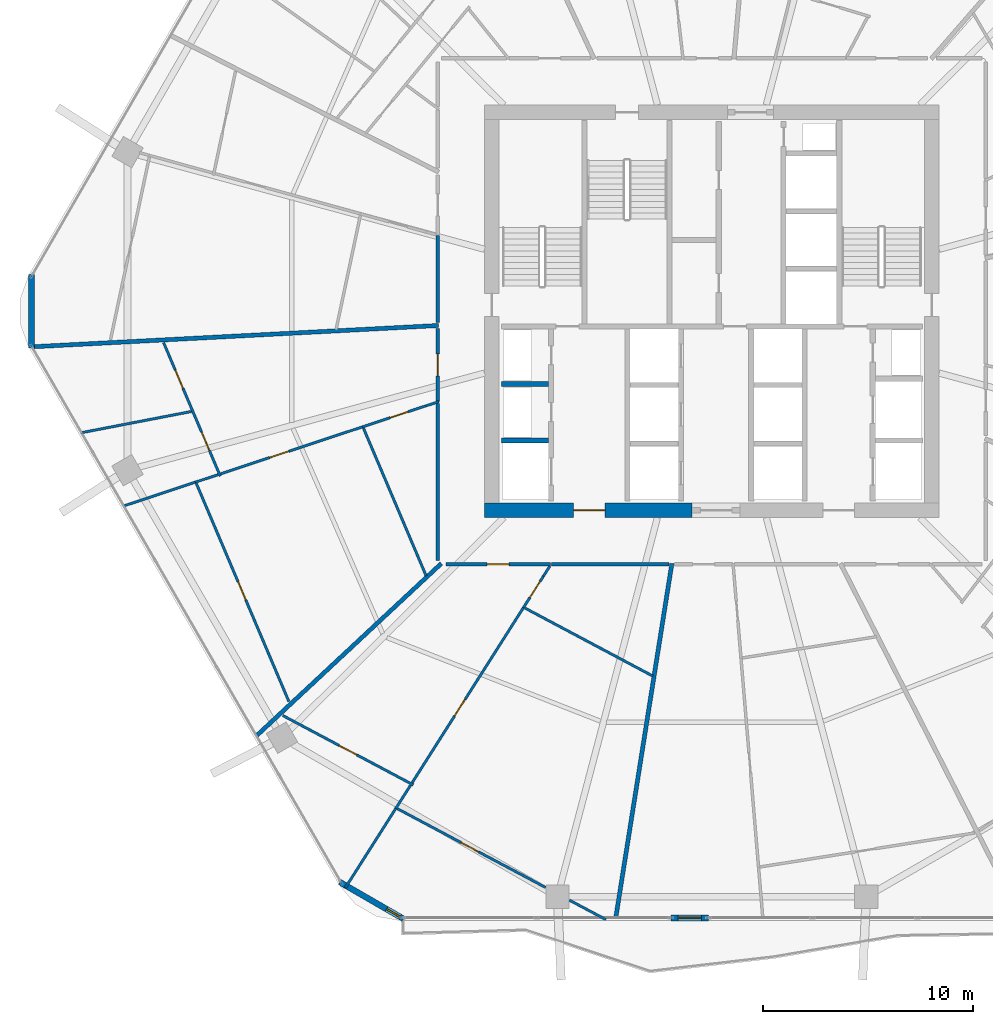
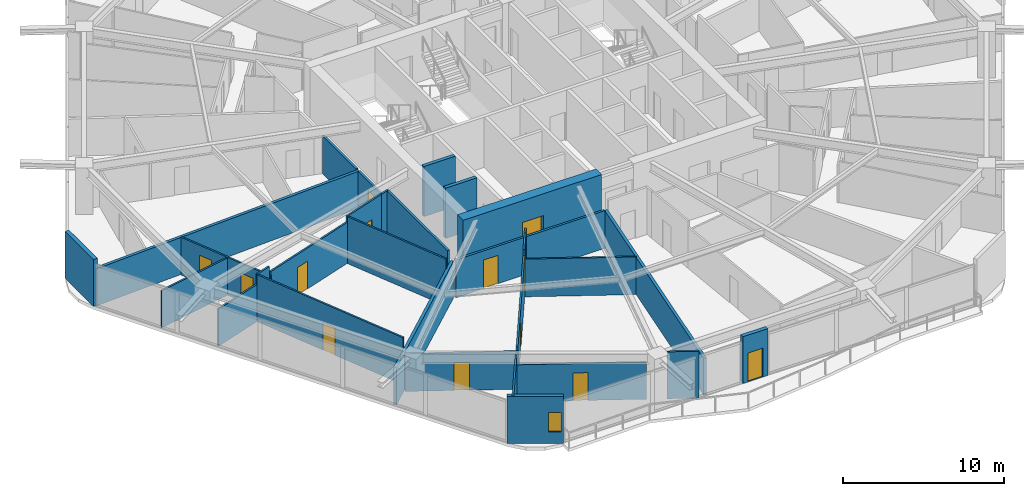
# One storey, part 24 of 33: 32 walls, 13 doors, 1 window, 14 openings.
"""IFC4 building model written with IfcOpenShell, lengths in metres."""

from ifc_helpers import new_model, si_unit, direction, frame, frame_2d, origin, place, context, subcontext, project, spatial, rectangle, extrude, material, layer, layer_set, type_object, element, fill, save


model = new_model("IFC4")

# Units and contexts
model_context = context("Model", 3, precision=1e-05, world=origin(), true_north=direction((0.0, 1.0)))
body_context = subcontext(model_context, "Body", "Model", "MODEL_VIEW")
ifc_project = project(units=[si_unit("LENGTHUNIT", "METRE"), si_unit("AREAUNIT", "SQUARE_METRE"), si_unit("VOLUMEUNIT", "CUBIC_METRE"), si_unit("PLANEANGLEUNIT", "RADIAN"), si_unit("MASSUNIT", "GRAM", prefix="KILO")], contexts=[model_context])

# Site, building, storey
site_placement = place(None, origin())
site = spatial("IfcSite", under=ifc_project, at=site_placement, CompositionType="ELEMENT")
building_placement = place(site_placement, origin())
building = spatial("IfcBuilding", under=site, at=building_placement, Name="Zuhravey Tower", CompositionType="ELEMENT")
storey_placement = place(building_placement, frame((0.0, 0.0, 126.60009765625)))
storey = spatial("IfcBuildingStorey", under=building, at=storey_placement, Name="L31", CompositionType="ELEMENT", Elevation=126.60009765625)

# Wall, opening, door
ifc_material_1 = material(Name="Concrete C60/75", Category="concrete")
ifc_layer_1 = layer(ifc_material_1, 0.699951171875)
ifc_layer_set_1 = layer_set([ifc_layer_1], Name="Concrete C60/75")
wall_type_1 = type_object("IfcWallType", Name="Core Shear Wall 700", PredefinedType="SHEAR", material=ifc_layer_set_1)
wall_1_placement = place(storey_placement, frame((25.14990234375, 22.5, 0.0), z_axis=(0.0, 0.0, 1.0), x_axis=(1.0, 0.0, 0.0)))
wall_1 = element("IfcWall", 1, at=wall_1_placement, inside=storey, type_object=wall_type_1, Name="L31 South-West Core Shear Wall CW70", PredefinedType="SHEAR", context=body_context, shape_type="SweptSolid", body=[
    extrude(rectangle(XDim=9.900146484375, YDim=0.699951171875, at=frame_2d((4.9501953125, 0.0))), origin(), (0.0, 0.0, 1.0), 3.7998046875),
])
opening_1_placement = place(wall_1_placement, frame((4.25, 0.0, 0.0)))
opening_1 = element("IfcOpeningElement", 2, at=opening_1_placement, cuts=wall_1, Name="Opening FFD1", PredefinedType="OPENING", context=body_context, shape_type="SweptSolid", body=[
    extrude(rectangle(XDim=1.5, YDim=2.14990234375, at=frame_2d((0.75, 1.074951171875))), frame((0.0, 0.362060546875, 0.0), z_axis=(0.0, -1.0, 0.0), x_axis=(1.0, 0.0, 0.0)), (0.0, 0.0, 1.0), 0.723876953125),
])
ifc_material_2 = material(Name="Galvanised fire-rated steel leaf", Category="steel")
door_type_1 = type_object("IfcDoorType", Name="Firefighting Lobby Double Door 1500x2150", OperationType="DOUBLE_DOOR_SINGLE_SWING", PredefinedType="DOOR", material=ifc_material_2)
door_1_placement = place(opening_1_placement, origin())
door_1 = element("IfcDoor", 3, at=door_1_placement, inside=storey, type_object=door_type_1, Name="L31 Firefighting Lobby West Door", OperationType="DOUBLE_DOOR_SINGLE_SWING", OverallHeight=2.14990234375, OverallWidth=1.5, PredefinedType="DOOR", context=body_context, shape_type="SweptSolid", body=[
    extrude(rectangle(XDim=1.5, YDim=2.14990234375, at=frame_2d((0.75, 1.074951171875))), frame((0.0, 0.02490234375, 0.0), z_axis=(0.0, -1.0, 0.0), x_axis=(1.0, 0.0, 0.0)), (0.0, 0.0, 1.0), 0.050048828125),
])
fill(opening_1, door_1)

ifc_material_3 = material(Name="Gypsum fire-rated stud partition")
ifc_layer_2 = layer(ifc_material_3, 0.159912109375)
ifc_layer_set_2 = layer_set([ifc_layer_2], Name="Gypsum fire-rated stud partition")
wall_type_2 = type_object("IfcWallType", Name="Corridor Fire Partition 160", PredefinedType="PARTITIONING", material=ifc_layer_set_2)
wall_2_placement = place(storey_placement, frame((22.919921875, 31.179931640625, 0.0), z_axis=(0.0, 0.0, 1.0), x_axis=(0.0, -1.0, 0.0)))
wall_2 = element("IfcWall", 4, at=wall_2_placement, inside=storey, type_object=wall_type_2, Name="L31 IW16 Partition 048", PredefinedType="PARTITIONING", context=body_context, shape_type="SweptSolid", body=[
    extrude(rectangle(XDim=3.48974609375, YDim=0.159912109375, at=frame_2d((1.744873046875, 0.0))), origin(), (0.0, 0.0, 1.0), 2.849853515625),
])
opening_2_placement = place(wall_2_placement, frame((1.219970703125, 0.0, 0.0)))
opening_2 = element("IfcOpeningElement", 5, at=opening_2_placement, cuts=wall_2, Name="Opening APD1", PredefinedType="OPENING", context=body_context, shape_type="SweptSolid", body=[
    extrude(rectangle(XDim=1.050048828125, YDim=2.14990234375, at=frame_2d((0.52490234375, 1.074951171875))), frame((0.0, 0.092041015625, 0.0), z_axis=(0.0, -1.0, 0.0), x_axis=(1.0, 0.0, 0.0)), (0.0, 0.0, 1.0), 0.183837890625),
])
ifc_material_4 = material(Name="Solid-core oak fire-rated leaf")
door_type_2 = type_object("IfcDoorType", Name="Apartment Entrance Fire Door 1050x2150", OperationType="NOTDEFINED", PredefinedType="DOOR", material=ifc_material_4)
door_2_placement = place(opening_2_placement, frame((1.050048828125, 0.0, 0.0), z_axis=(0.0, 0.0, 1.0), x_axis=(-1.0, 0.0, 0.0)))
door_2 = element("IfcDoor", 6, at=door_2_placement, inside=storey, type_object=door_type_2, Name="L31 Door 048.1", OperationType="SINGLE_SWING_LEFT", OverallHeight=2.14990234375, OverallWidth=1.050048828125, PredefinedType="DOOR", context=body_context, shape_type="SweptSolid", body=[
    extrude(rectangle(XDim=1.050048828125, YDim=2.14990234375, at=frame_2d((0.52490234375, 1.074951171875))), frame((0.0, 0.02490234375, 0.0), z_axis=(0.0, -1.0, 0.0), x_axis=(1.0, 0.0, 0.0)), (0.0, 0.0, 1.0), 0.050048828125),
])
fill(opening_2, door_2)

wall_3_placement = place(storey_placement, frame((23.29931640625, 19.919921875, 0.0), z_axis=(0.0, 0.0, 1.0), x_axis=(1.0, 0.0, 0.0)))
wall_3 = element("IfcWall", 7, at=wall_3_placement, inside=storey, type_object=wall_type_2, Name="L31 IW16 Partition 054", PredefinedType="PARTITIONING", context=body_context, shape_type="SweptSolid", body=[
    extrude(rectangle(XDim=4.9990234375, YDim=0.159912109375, at=frame_2d((2.49951171875, 0.0))), origin(), (0.0, 0.0, 1.0), 2.849853515625),
])
opening_3_placement = place(wall_3_placement, frame((1.974609375, 0.0, 0.0)))
opening_3 = element("IfcOpeningElement", 8, at=opening_3_placement, cuts=wall_3, Name="Opening APD1", PredefinedType="OPENING", context=body_context, shape_type="SweptSolid", body=[
    extrude(rectangle(XDim=1.050048828125, YDim=2.14990234375, at=frame_2d((0.52490234375, 1.074951171875))), frame((0.0, 0.092041015625, 0.0), z_axis=(0.0, -1.0, 0.0), x_axis=(1.0, 0.0, 0.0)), (0.0, 0.0, 1.0), 0.183837890625),
])
door_3_placement = place(opening_3_placement, frame((1.050048828125, 0.0, 0.0), z_axis=(0.0, 0.0, 1.0), x_axis=(-1.0, 0.0, 0.0)))
door_3 = element("IfcDoor", 9, at=door_3_placement, inside=storey, type_object=door_type_2, Name="L31 Door 054.1", OperationType="SINGLE_SWING_RIGHT", OverallHeight=2.14990234375, OverallWidth=1.050048828125, PredefinedType="DOOR", context=body_context, shape_type="SweptSolid", body=[
    extrude(rectangle(XDim=1.050048828125, YDim=2.14990234375, at=frame_2d((0.52490234375, 1.074951171875))), frame((0.0, 0.02490234375, 0.0), z_axis=(0.0, -1.0, 0.0), x_axis=(1.0, 0.0, 0.0)), (0.0, 0.0, 1.0), 0.050048828125),
])
fill(opening_3, door_3)

# Walls
wall_4_placement = place(storey_placement, frame((22.919921875, 35.601806640625, 0.0), z_axis=(0.0, 0.0, 1.0), x_axis=(0.0, -1.0, 0.0)))
element("IfcWall", 10, at=wall_4_placement, inside=storey, type_object=wall_type_2, Name="L31 IW16 Partition 136", PredefinedType="PARTITIONING", context=body_context, shape_type="SweptSolid", body=[
    extrude(rectangle(XDim=4.15283203125, YDim=0.159912109375, at=frame_2d((2.076416015625, 0.0))), origin(), (0.0, 0.0, 1.0), 2.849853515625),
])
wall_5_placement = place(storey_placement, frame((22.919921875, 27.597412109375, 0.0), z_axis=(0.0, 0.0, 1.0), x_axis=(0.0, -1.0, 0.0)))
element("IfcWall", 11, at=wall_5_placement, inside=storey, type_object=wall_type_2, Name="L31 IW16 Partition 137", PredefinedType="PARTITIONING", context=body_context, shape_type="SweptSolid", body=[
    extrude(rectangle(XDim=7.497314453125, YDim=0.159912109375, at=frame_2d((3.74853515625, 0.0))), origin(), (0.0, 0.0, 1.0), 3.5498046875),
])
wall_6_placement = place(storey_placement, frame((28.345703125, 19.919921875, 0.0), z_axis=(0.0, 0.0, 1.0), x_axis=(1.0, 0.0, 0.0)))
element("IfcWall", 12, at=wall_6_placement, inside=storey, type_object=wall_type_2, Name="L31 IW16 Partition 138", PredefinedType="PARTITIONING", context=body_context, shape_type="SweptSolid", body=[
    extrude(rectangle(XDim=5.612548828125, YDim=0.159912109375, at=frame_2d((2.80615234375, 0.0))), origin(), (0.0, 0.0, 1.0), 2.849853515625),
])

# Wall, opening, door
ifc_material_5 = material(Name="Precast concrete C40/50", Category="concrete")
ifc_layer_3 = layer(ifc_material_5, 0.280029296875)
ifc_layer_set_3 = layer_set([ifc_layer_3], Name="Precast concrete C40/50")
wall_type_3 = type_object("IfcWallType", Name="Crown Architectural Wall 280", PredefinedType="SOLIDWALL", material=ifc_layer_set_3)
wall_7_placement = place(storey_placement, frame((35.8388671875, 3.04150390625, 0.0), z_axis=(0.0, 0.0, 1.0), x_axis=(-1.0, 0.0, 0.0)))
wall_7 = element("IfcWall", 13, at=wall_7_placement, inside=storey, type_object=wall_type_3, Name="L31 Face 5 Facade Pier EW28-1", PredefinedType="SOLIDWALL", context=body_context, shape_type="SweptSolid", body=[
    extrude(rectangle(XDim=1.7900390625, YDim=0.280029296875, at=frame_2d((0.89501953125, 0.0))), origin(), (0.0, 0.0, 1.0), 3.5498046875),
])
opening_4_placement = place(wall_7_placement, frame((0.344970703125, 0.0, 0.0)))
opening_4 = element("IfcOpeningElement", 14, at=opening_4_placement, cuts=wall_7, Name="Opening BLD1", PredefinedType="OPENING", context=body_context, shape_type="SweptSolid", body=[
    extrude(rectangle(XDim=1.10009765625, YDim=2.199951171875, at=frame_2d((0.550048828125, 1.10009765625))), frame((0.0, 0.152099609375, 0.0), z_axis=(0.0, -1.0, 0.0), x_axis=(1.0, 0.0, 0.0)), (0.0, 0.0, 1.0), 0.303955078125),
])
ifc_material_6 = material(Name="Thermally broken aluminium and low-E glass", Category="aluminium")
door_type_3 = type_object("IfcDoorType", Name="Balcony & Sky-Tray Glazed Door 1100x2200", OperationType="NOTDEFINED", PredefinedType="DOOR", material=ifc_material_6)
door_4_placement = place(opening_4_placement, frame((1.10009765625, 0.0, 0.0), z_axis=(0.0, 0.0, 1.0), x_axis=(-1.0, 0.0, 0.0)))
door_4 = element("IfcDoor", 15, at=door_4_placement, inside=storey, type_object=door_type_3, Name="L31 Face 5 Wave Balcony Door", OperationType="SINGLE_SWING_LEFT", OverallHeight=2.199951171875, OverallWidth=1.10009765625, PredefinedType="DOOR", context=body_context, shape_type="SweptSolid", body=[
    extrude(rectangle(XDim=1.10009765625, YDim=2.199951171875, at=frame_2d((0.550048828125, 1.10009765625))), frame((0.0, 0.02490234375, 0.0), z_axis=(0.0, -1.0, 0.0), x_axis=(1.0, 0.0, 0.0)), (0.0, 0.0, 1.0), 0.050048828125),
])
fill(opening_4, door_4)

# Wall, opening, window
wall_8_placement = place(storey_placement, frame((21.28271484375, 2.993896484375, 0.0), z_axis=(0.0, 0.0, 1.0), x_axis=(-0.866007452331, 0.500031091541, 0.0)))
wall_8 = element("IfcWall", 16, at=wall_8_placement, inside=storey, type_object=wall_type_3, Name="L31 Rounded Corner Closure Wall EW28-04", PredefinedType="SOLIDWALL", context=body_context, shape_type="SweptSolid", body=[
    extrude(rectangle(XDim=3.514892578125, YDim=0.280029296875, at=frame_2d((1.75732421875, 0.0))), origin(), (0.0, 0.0, 1.0), 3.5498046875),
])
opening_5_placement = place(wall_8_placement, frame((0.18212890625, 0.0, 0.85009765625)))
opening_5 = element("IfcOpeningElement", 17, at=opening_5_placement, cuts=wall_8, Name="Opening WN5", PredefinedType="OPENING", context=body_context, shape_type="SweptSolid", body=[
    extrude(rectangle(XDim=0.75, YDim=1.5, at=frame_2d((0.375, 0.75))), frame((0.0, 0.152099609375, 0.0), z_axis=(0.0, -1.0, 0.0), x_axis=(1.0, 0.0, 0.0)), (0.0, 0.0, 1.0), 0.303955078125),
])
ifc_material_7 = material(Name="Thermally broken aluminium and triple low-E glass", Category="aluminium")
window_type = type_object("IfcWindowType", Name="Residential Corner Casement Window 750x1500", PartitioningType="SINGLE_PANEL", PredefinedType="WINDOW", material=ifc_material_7)
window_placement = place(opening_5_placement, origin())
window = element("IfcWindow", 18, at=window_placement, inside=storey, type_object=window_type, Name="L31 Corner Casement Window WN5-04.1", OverallHeight=1.5, OverallWidth=0.75, PartitioningType="SINGLE_PANEL", PredefinedType="WINDOW", context=body_context, shape_type="SweptSolid", body=[
    extrude(rectangle(XDim=0.75, YDim=1.5, at=frame_2d((0.375, 0.75))), frame((0.0, 0.030029296875, 0.0), z_axis=(0.0, -1.0, 0.0), x_axis=(1.0, 0.0, 0.0)), (0.0, 0.0, 1.0), 0.06005859375),
])
fill(opening_5, window)

# Walls
wall_9_placement = place(storey_placement, frame((3.521484375, 30.242431640625, 0.0), z_axis=(0.0, 0.0, 1.0), x_axis=(0.0, 1.0, 0.0)))
element("IfcWall", 19, at=wall_9_placement, inside=storey, type_object=wall_type_3, Name="L31 Rounded Corner Closure Wall EW28-06", PredefinedType="SOLIDWALL", context=body_context, shape_type="SweptSolid", body=[
    extrude(rectangle(XDim=3.51513671875, YDim=0.280029296875, at=frame_2d((1.757568359375, 0.0))), origin(), (0.0, 0.0, 1.0), 3.5498046875),
])
ifc_material_8 = material(Name="Concrete C50/60", Category="concrete")
ifc_layer_4 = layer(ifc_material_8, 0.25)
ifc_layer_set_4 = layer_set([ifc_layer_4], Name="Concrete C50/60")
wall_type_4 = type_object("IfcWallType", Name="Firefighting Shaft & Stair Wall 250", PredefinedType="SOLIDWALL", material=ifc_layer_set_4)
for number, where, z_axis, x_axis, name in (
    (20, (25.949951171875, 25.824951171875, 0.0), (0.0, 0.0, 1.0), (1.0, 0.0, 0.0), "L31 FW25 Shaft Wall 009"),
    (21, (25.949951171875, 28.52490234375, 0.0), (0.0, 0.0, 1.0), (1.0, 0.0, 0.0), "L31 FW25 Shaft Wall 010"),
):
    element("IfcWall", number, at=place(storey_placement, frame(where, z_axis=z_axis, x_axis=x_axis)), inside=storey, type_object=wall_type_4, Name=name, PredefinedType="SOLIDWALL", context=body_context, shape_type="SweptSolid", body=[
        extrude(rectangle(XDim=2.25, YDim=0.25, at=frame_2d((1.125, 0.0))), origin(), (0.0, 0.0, 1.0), 3.7998046875),
    ])
ifc_material_9 = material(Name="Gypsum double-stud party assembly")
ifc_layer_5 = layer(ifc_material_9, 0.199951171875)
ifc_layer_set_5 = layer_set([ifc_layer_5], Name="Gypsum double-stud party assembly")
wall_type_5 = type_object("IfcWallType", Name="Inter-Tenancy Party Wall 200", PredefinedType="PARTITIONING", material=ifc_layer_set_5)
wall_10_placement = place(storey_placement, frame((22.9599609375, 31.316650390625, 0.0), z_axis=(0.0, 0.0, 1.0), x_axis=(-0.998629494248, -0.052336729143, 0.0)))
element("IfcWall", 22, at=wall_10_placement, inside=storey, type_object=wall_type_5, Name="L31 IW20 Partition 103", PredefinedType="PARTITIONING", context=body_context, shape_type="SweptSolid", body=[
    extrude(rectangle(XDim=19.44287109375, YDim=0.199951171875, at=frame_2d((9.721435546875, 0.0))), origin(), (0.0, 0.0, 1.0), 2.7998046875),
])
wall_11_placement = place(storey_placement, frame((23.08935546875, 19.960693359375, 0.0), z_axis=(0.0, 0.0, 1.0), x_axis=(-0.731358624603, -0.68199308077, 0.0)))
element("IfcWall", 23, at=wall_11_placement, inside=storey, type_object=wall_type_5, Name="L31 IW20 Partition 108", PredefinedType="PARTITIONING", context=body_context, shape_type="SweptSolid", body=[
    extrude(rectangle(XDim=12.067138671875, YDim=0.199951171875, at=frame_2d((6.03369140625, 0.0))), origin(), (0.0, 0.0, 1.0), 2.7998046875),
])
wall_12_placement = place(storey_placement, frame((34.093017578125, 19.9599609375, 0.0), z_axis=(0.0, 0.0, 1.0), x_axis=(-0.156438289387, -0.987687734871, 0.0)))
element("IfcWall", 24, at=wall_12_placement, inside=storey, type_object=wall_type_5, Name="L31 IW20 Partition 113", PredefinedType="PARTITIONING", context=body_context, shape_type="SweptSolid", body=[
    extrude(rectangle(XDim=17.12939453125, YDim=0.199951171875, at=frame_2d((8.564697265625, 0.0))), origin(), (0.0, 0.0, 1.0), 2.7998046875),
])

# Wall, openings, doors
ifc_material_10 = material(Name="Gypsum metal-stud partition")
ifc_layer_6 = layer(ifc_material_10, 0.1201171875)
ifc_layer_set_6 = layer_set([ifc_layer_6], Name="Gypsum metal-stud partition")
wall_type_6 = type_object("IfcWallType", Name="Unit Internal Partition 120", PredefinedType="PARTITIONING", material=ifc_layer_set_6)
wall_13_placement = place(storey_placement, frame((9.83203125, 30.499755859375, 0.0), z_axis=(0.0, 0.0, 1.0), x_axis=(0.390720983602, -0.920509159636, 0.0)))
wall_13 = element("IfcWall", 25, at=wall_13_placement, inside=storey, type_object=wall_type_6, Name="L31 IW12 Partition 043", PredefinedType="PARTITIONING", context=body_context, shape_type="SweptSolid", body=[
    extrude(rectangle(XDim=6.923828125, YDim=0.1201171875, at=frame_2d((3.4619140625, 0.0))), origin(), (0.0, 0.0, 1.0), 2.849853515625),
])
opening_6_placement = place(wall_13_placement, frame((1.42431640625, 0.0, 0.0)))
opening_6 = element("IfcOpeningElement", 26, at=opening_6_placement, cuts=wall_13, Name="Opening IND1", PredefinedType="OPENING", context=body_context, shape_type="SweptSolid", body=[
    extrude(rectangle(XDim=0.949951171875, YDim=2.10009765625, at=frame_2d((0.47509765625, 1.050048828125))), frame((0.0, 0.072021484375, 0.0), z_axis=(0.0, -1.0, 0.0), x_axis=(1.0, 0.0, 0.0)), (0.0, 0.0, 1.0), 0.14404296875),
])
opening_7_placement = place(wall_13_placement, frame((4.6435546875, 0.0, 0.0)))
opening_7 = element("IfcOpeningElement", 27, at=opening_7_placement, cuts=wall_13, Name="Opening IND1", PredefinedType="OPENING", context=body_context, shape_type="SweptSolid", body=[
    extrude(rectangle(XDim=0.949951171875, YDim=2.10009765625, at=frame_2d((0.47509765625, 1.050048828125))), frame((0.0, 0.072021484375, 0.0), z_axis=(0.0, -1.0, 0.0), x_axis=(1.0, 0.0, 0.0)), (0.0, 0.0, 1.0), 0.14404296875),
])
ifc_material_11 = material(Name="Painted engineered timber leaf", Category="wood")
door_type_4 = type_object("IfcDoorType", Name="Internal Room & Bedroom Door 950x2100", OperationType="NOTDEFINED", PredefinedType="DOOR", material=ifc_material_11)
door_5_placement = place(opening_6_placement, frame((0.949951171875, 0.0, 0.0), z_axis=(0.0, 0.0, 1.0), x_axis=(-1.0, 0.0, 0.0)))
door_5 = element("IfcDoor", 28, at=door_5_placement, inside=storey, type_object=door_type_4, Name="Apartment L31-06 Family Study Door", OperationType="SINGLE_SWING_RIGHT", OverallHeight=2.10009765625, OverallWidth=0.949951171875, PredefinedType="DOOR", context=body_context, shape_type="SweptSolid", body=[
    extrude(rectangle(XDim=0.949951171875, YDim=2.10009765625, at=frame_2d((0.47509765625, 1.050048828125))), frame((0.0, 0.02490234375, 0.0), z_axis=(0.0, -1.0, 0.0), x_axis=(1.0, 0.0, 0.0)), (0.0, 0.0, 1.0), 0.050048828125),
])
fill(opening_6, door_5)
door_6_placement = place(opening_7_placement, frame((0.949951171875, 0.0, 0.0), z_axis=(0.0, 0.0, 1.0), x_axis=(-1.0, 0.0, 0.0)))
door_6 = element("IfcDoor", 29, at=door_6_placement, inside=storey, type_object=door_type_4, Name="Apartment L31-06 Dining Room Door", OperationType="SINGLE_SWING_LEFT", OverallHeight=2.10009765625, OverallWidth=0.949951171875, PredefinedType="DOOR", context=body_context, shape_type="SweptSolid", body=[
    extrude(rectangle(XDim=0.949951171875, YDim=2.10009765625, at=frame_2d((0.47509765625, 1.050048828125))), frame((0.0, 0.02490234375, 0.0), z_axis=(0.0, -1.0, 0.0), x_axis=(1.0, 0.0, 0.0)), (0.0, 0.0, 1.0), 0.050048828125),
])
fill(opening_7, door_6)

# Wall, opening, door
wall_14_placement = place(storey_placement, frame((22.35009765625, 27.48046875, 0.0), z_axis=(0.0, 0.0, 1.0), x_axis=(-0.949315845657, -0.314323758543, 0.0)))
wall_14 = element("IfcWall", 30, at=wall_14_placement, inside=storey, type_object=wall_type_6, Name="L31 IW12 Partition 044", PredefinedType="PARTITIONING", context=body_context, shape_type="SweptSolid", body=[
    extrude(rectangle(XDim=3.19384765625, YDim=0.1201171875, at=frame_2d((1.596923828125, 0.0))), origin(), (0.0, 0.0, 1.0), 3.5498046875),
])
opening_8_placement = place(wall_14_placement, frame((0.891357421875, 0.0, 0.0)))
opening_8 = element("IfcOpeningElement", 31, at=opening_8_placement, cuts=wall_14, Name="Opening WCD1", PredefinedType="OPENING", context=body_context, shape_type="SweptSolid", body=[
    extrude(rectangle(XDim=0.89990234375, YDim=2.10009765625, at=frame_2d((0.449951171875, 1.050048828125))), frame((0.0, 0.072021484375, 0.0), z_axis=(0.0, -1.0, 0.0), x_axis=(1.0, 0.0, 0.0)), (0.0, 0.0, 1.0), 0.14404296875),
])
ifc_material_12 = material(Name="Moisture-resistant timber leaf", Category="wood")
door_type_5 = type_object("IfcDoorType", Name="Bathroom & WC Internal Door 900x2100", OperationType="NOTDEFINED", PredefinedType="DOOR", material=ifc_material_12)
door_7_placement = place(opening_8_placement, origin())
door_7 = element("IfcDoor", 32, at=door_7_placement, inside=storey, type_object=door_type_5, Name="Apartment L31-06 Bathroom Door", OperationType="SINGLE_SWING_RIGHT", OverallHeight=2.10009765625, OverallWidth=0.89990234375, PredefinedType="DOOR", context=body_context, shape_type="SweptSolid", body=[
    extrude(rectangle(XDim=0.89990234375, YDim=2.10009765625, at=frame_2d((0.449951171875, 1.050048828125))), frame((0.0, 0.02490234375, 0.0), z_axis=(0.0, -1.0, 0.0), x_axis=(1.0, 0.0, 0.0)), (0.0, 0.0, 1.0), 0.050048828125),
])
fill(opening_8, door_7)

wall_15_placement = place(storey_placement, frame((19.318115234375, 26.4765625, 0.0), z_axis=(0.0, 0.0, 1.0), x_axis=(-0.949319529685, -0.314312631878, 0.0)))
wall_15 = element("IfcWall", 33, at=wall_15_placement, inside=storey, type_object=wall_type_6, Name="L31 IW12 Partition 045", PredefinedType="PARTITIONING", context=body_context, shape_type="SweptSolid", body=[
    extrude(rectangle(XDim=7.11572265625, YDim=0.1201171875, at=frame_2d((3.557861328125, 0.0))), origin(), (0.0, 0.0, 1.0), 3.099853515625),
])
opening_9_placement = place(wall_15_placement, frame((3.700927734375, 0.0, 0.0)))
opening_9 = element("IfcOpeningElement", 34, at=opening_9_placement, cuts=wall_15, Name="Opening IND1", PredefinedType="OPENING", context=body_context, shape_type="SweptSolid", body=[
    extrude(rectangle(XDim=0.949951171875, YDim=2.10009765625, at=frame_2d((0.47509765625, 1.050048828125))), frame((0.0, 0.072021484375, 0.0), z_axis=(0.0, -1.0, 0.0), x_axis=(1.0, 0.0, 0.0)), (0.0, 0.0, 1.0), 0.14404296875),
])
door_8_placement = place(opening_9_placement, origin())
door_8 = element("IfcDoor", 35, at=door_8_placement, inside=storey, type_object=door_type_4, Name="Apartment L31-06 Home Office Door", OperationType="SINGLE_SWING_LEFT", OverallHeight=2.10009765625, OverallWidth=0.949951171875, PredefinedType="DOOR", context=body_context, shape_type="SweptSolid", body=[
    extrude(rectangle(XDim=0.949951171875, YDim=2.10009765625, at=frame_2d((0.47509765625, 1.050048828125))), frame((0.0, 0.02490234375, 0.0), z_axis=(0.0, -1.0, 0.0), x_axis=(1.0, 0.0, 0.0)), (0.0, 0.0, 1.0), 0.050048828125),
])
fill(opening_9, door_8)

# Wall
wall_16_placement = place(storey_placement, frame((12.433349609375, 24.197021484375, 0.0), z_axis=(0.0, 0.0, 1.0), x_axis=(-0.949318499062, -0.314315744656, 0.0)))
element("IfcWall", 36, at=wall_16_placement, inside=storey, type_object=wall_type_6, Name="L31 IW12 Partition 046", PredefinedType="PARTITIONING", context=body_context, shape_type="SweptSolid", body=[
    extrude(rectangle(XDim=1.149658203125, YDim=0.1201171875, at=frame_2d((0.57470703125, 0.0))), origin(), (0.0, 0.0, 1.0), 3.5498046875),
])

# Wall, opening, door
wall_17_placement = place(storey_placement, frame((11.392333984375, 23.780517578125, 0.0), z_axis=(0.0, 0.0, 1.0), x_axis=(0.390742140439, -0.920500179079, 0.0)))
wall_17 = element("IfcWall", 37, at=wall_17_placement, inside=storey, type_object=wall_type_6, Name="L31 IW12 Partition 047", PredefinedType="PARTITIONING", context=body_context, shape_type="SweptSolid", body=[
    extrude(rectangle(XDim=11.3134765625, YDim=0.1201171875, at=frame_2d((5.65673828125, 0.0))), origin(), (0.0, 0.0, 1.0), 3.5498046875),
])
opening_10_placement = place(wall_17_placement, frame((5.097412109375, 0.0, 0.0)))
opening_10 = element("IfcOpeningElement", 38, at=opening_10_placement, cuts=wall_17, Name="Opening IND1", PredefinedType="OPENING", context=body_context, shape_type="SweptSolid", body=[
    extrude(rectangle(XDim=0.949951171875, YDim=2.10009765625, at=frame_2d((0.47509765625, 1.050048828125))), frame((0.0, 0.072021484375, 0.0), z_axis=(0.0, -1.0, 0.0), x_axis=(1.0, 0.0, 0.0)), (0.0, 0.0, 1.0), 0.14404296875),
])
door_9_placement = place(opening_10_placement, frame((0.949951171875, 0.0, 0.0), z_axis=(0.0, 0.0, 1.0), x_axis=(-1.0, 0.0, 0.0)))
door_9 = element("IfcDoor", 39, at=door_9_placement, inside=storey, type_object=door_type_4, Name="Apartment L31-06 Bedroom 1 Door", OperationType="SINGLE_SWING_RIGHT", OverallHeight=2.10009765625, OverallWidth=0.949951171875, PredefinedType="DOOR", context=body_context, shape_type="SweptSolid", body=[
    extrude(rectangle(XDim=0.949951171875, YDim=2.10009765625, at=frame_2d((0.47509765625, 1.050048828125))), frame((0.0, 0.02490234375, 0.0), z_axis=(0.0, -1.0, 0.0), x_axis=(1.0, 0.0, 0.0)), (0.0, 0.0, 1.0), 0.050048828125),
])
fill(opening_10, door_9)

wall_18_placement = place(storey_placement, frame((15.5185546875, 12.70166015625, 0.0), z_axis=(0.0, 0.0, 1.0), x_axis=(0.882962431702, -0.469443653917, 0.0)))
wall_18 = element("IfcWall", 40, at=wall_18_placement, inside=storey, type_object=wall_type_6, Name="L31 IW12 Partition 049", PredefinedType="PARTITIONING", context=body_context, shape_type="SweptSolid", body=[
    extrude(rectangle(XDim=7.0546875, YDim=0.1201171875, at=frame_2d((3.52734375, 0.0))), origin(), (0.0, 0.0, 1.0), 2.849853515625),
])
opening_11_placement = place(wall_18_placement, frame((3.05224609375, 0.0, 0.0)))
opening_11 = element("IfcOpeningElement", 41, at=opening_11_placement, cuts=wall_18, Name="Opening IND1", PredefinedType="OPENING", context=body_context, shape_type="SweptSolid", body=[
    extrude(rectangle(XDim=0.949951171875, YDim=2.10009765625, at=frame_2d((0.47509765625, 1.050048828125))), frame((0.0, 0.072021484375, 0.0), z_axis=(0.0, -1.0, 0.0), x_axis=(1.0, 0.0, 0.0)), (0.0, 0.0, 1.0), 0.14404296875),
])
door_10_placement = place(opening_11_placement, frame((0.949951171875, 0.0, 0.0), z_axis=(0.0, 0.0, 1.0), x_axis=(-1.0, 0.0, 0.0)))
door_10 = element("IfcDoor", 42, at=door_10_placement, inside=storey, type_object=door_type_4, Name="Apartment L31-07 Family Study Door", OperationType="SINGLE_SWING_RIGHT", OverallHeight=2.10009765625, OverallWidth=0.949951171875, PredefinedType="DOOR", context=body_context, shape_type="SweptSolid", body=[
    extrude(rectangle(XDim=0.949951171875, YDim=2.10009765625, at=frame_2d((0.47509765625, 1.050048828125))), frame((0.0, 0.02490234375, 0.0), z_axis=(0.0, -1.0, 0.0), x_axis=(1.0, 0.0, 0.0)), (0.0, 0.0, 1.0), 0.050048828125),
])
fill(opening_11, door_10)

wall_19_placement = place(storey_placement, frame((27.959716796875, 19.35009765625, 0.0), z_axis=(0.0, 0.0, 1.0), x_axis=(-0.536397771872, -0.843965301615, 0.0)))
wall_19 = element("IfcWall", 43, at=wall_19_placement, inside=storey, type_object=wall_type_6, Name="L31 IW12 Partition 050", PredefinedType="PARTITIONING", context=body_context, shape_type="SweptSolid", body=[
    extrude(rectangle(XDim=1.785888671875, YDim=0.1201171875, at=frame_2d((0.89306640625, 0.0))), origin(), (0.0, 0.0, 1.0), 3.5498046875),
])
opening_12_placement = place(wall_19_placement, frame((0.300048828125, 0.0, 0.0)))
opening_12 = element("IfcOpeningElement", 44, at=opening_12_placement, cuts=wall_19, Name="Opening WCD1", PredefinedType="OPENING", context=body_context, shape_type="SweptSolid", body=[
    extrude(rectangle(XDim=0.89990234375, YDim=2.10009765625, at=frame_2d((0.449951171875, 1.050048828125))), frame((0.0, 0.072021484375, 0.0), z_axis=(0.0, -1.0, 0.0), x_axis=(1.0, 0.0, 0.0)), (0.0, 0.0, 1.0), 0.14404296875),
])
door_11_placement = place(opening_12_placement, origin())
door_11 = element("IfcDoor", 45, at=door_11_placement, inside=storey, type_object=door_type_5, Name="Apartment L31-07 Bathroom Door", OperationType="SINGLE_SWING_LEFT", OverallHeight=2.10009765625, OverallWidth=0.89990234375, PredefinedType="DOOR", context=body_context, shape_type="SweptSolid", body=[
    extrude(rectangle(XDim=0.89990234375, YDim=2.10009765625, at=frame_2d((0.449951171875, 1.050048828125))), frame((0.0, 0.02490234375, 0.0), z_axis=(0.0, -1.0, 0.0), x_axis=(1.0, 0.0, 0.0)), (0.0, 0.0, 1.0), 0.050048828125),
])
fill(opening_12, door_11)

wall_20_placement = place(storey_placement, frame((27.001708984375, 17.8427734375, 0.0), z_axis=(0.0, 0.0, 1.0), x_axis=(-0.536410687373, -0.843957092791, 0.0)))
wall_20 = element("IfcWall", 46, at=wall_20_placement, inside=storey, type_object=wall_type_6, Name="L31 IW12 Partition 051", PredefinedType="PARTITIONING", context=body_context, shape_type="SweptSolid", body=[
    extrude(rectangle(XDim=9.891845703125, YDim=0.1201171875, at=frame_2d((4.94580078125, 0.0))), origin(), (0.0, 0.0, 1.0), 3.099853515625),
])
opening_13_placement = place(wall_20_placement, frame((5.173828125, 0.0, 0.0)))
opening_13 = element("IfcOpeningElement", 47, at=opening_13_placement, cuts=wall_20, Name="Opening IND1", PredefinedType="OPENING", context=body_context, shape_type="SweptSolid", body=[
    extrude(rectangle(XDim=0.949951171875, YDim=2.10009765625, at=frame_2d((0.47509765625, 1.050048828125))), frame((0.0, 0.072021484375, 0.0), z_axis=(0.0, -1.0, 0.0), x_axis=(1.0, 0.0, 0.0)), (0.0, 0.0, 1.0), 0.14404296875),
])
door_12_placement = place(opening_13_placement, origin())
door_12 = element("IfcDoor", 48, at=door_12_placement, inside=storey, type_object=door_type_4, Name="Apartment L31-07 Home Office Door", OperationType="SINGLE_SWING_RIGHT", OverallHeight=2.10009765625, OverallWidth=0.949951171875, PredefinedType="DOOR", context=body_context, shape_type="SweptSolid", body=[
    extrude(rectangle(XDim=0.949951171875, YDim=2.10009765625, at=frame_2d((0.47509765625, 1.050048828125))), frame((0.0, 0.02490234375, 0.0), z_axis=(0.0, -1.0, 0.0), x_axis=(1.0, 0.0, 0.0)), (0.0, 0.0, 1.0), 0.050048828125),
])
fill(opening_13, door_12)

# Wall
wall_21_placement = place(storey_placement, frame((21.622314453125, 9.37939453125, 0.0), z_axis=(0.0, 0.0, 1.0), x_axis=(-0.536420442339, -0.843950892553, 0.0)))
element("IfcWall", 49, at=wall_21_placement, inside=storey, type_object=wall_type_6, Name="L31 IW12 Partition 052", PredefinedType="PARTITIONING", context=body_context, shape_type="SweptSolid", body=[
    extrude(rectangle(XDim=1.3193359375, YDim=0.1201171875, at=frame_2d((0.65966796875, 0.0))), origin(), (0.0, 0.0, 1.0), 2.7998046875),
])

# Wall, opening, door
wall_22_placement = place(storey_placement, frame((20.98828125, 8.2548828125, 0.0), z_axis=(0.0, 0.0, 1.0), x_axis=(0.882953852394, -0.469459790124, 0.0)))
wall_22 = element("IfcWall", 50, at=wall_22_placement, inside=storey, type_object=wall_type_6, Name="L31 IW12 Partition 053", PredefinedType="PARTITIONING", context=body_context, shape_type="SweptSolid", body=[
    extrude(rectangle(XDim=8.00927734375, YDim=0.1201171875, at=frame_2d((4.004638671875, 0.0))), origin(), (0.0, 0.0, 1.0), 2.7998046875),
])
opening_14_placement = place(wall_22_placement, frame((3.4453125, 0.0, 0.0)))
opening_14 = element("IfcOpeningElement", 51, at=opening_14_placement, cuts=wall_22, Name="Opening IND1", PredefinedType="OPENING", context=body_context, shape_type="SweptSolid", body=[
    extrude(rectangle(XDim=0.949951171875, YDim=2.10009765625, at=frame_2d((0.47509765625, 1.050048828125))), frame((0.0, 0.072021484375, 0.0), z_axis=(0.0, -1.0, 0.0), x_axis=(1.0, 0.0, 0.0)), (0.0, 0.0, 1.0), 0.14404296875),
])
door_13_placement = place(opening_14_placement, frame((0.949951171875, 0.0, 0.0), z_axis=(0.0, 0.0, 1.0), x_axis=(-1.0, 0.0, 0.0)))
door_13 = element("IfcDoor", 52, at=door_13_placement, inside=storey, type_object=door_type_4, Name="Apartment L31-07 Bedroom 1 Door", OperationType="SINGLE_SWING_LEFT", OverallHeight=2.10009765625, OverallWidth=0.949951171875, PredefinedType="DOOR", context=body_context, shape_type="SweptSolid", body=[
    extrude(rectangle(XDim=0.949951171875, YDim=2.10009765625, at=frame_2d((0.47509765625, 1.050048828125))), frame((0.0, 0.02490234375, 0.0), z_axis=(0.0, -1.0, 0.0), x_axis=(1.0, 0.0, 0.0)), (0.0, 0.0, 1.0), 0.050048828125),
])
fill(opening_14, door_13)

# Walls
wall_23_placement = place(storey_placement, frame((11.154052734375, 27.2109375, 0.0), z_axis=(0.0, 0.0, 1.0), x_axis=(-0.981923696719, -0.189277187802, 0.0)))
element("IfcWall", 53, at=wall_23_placement, inside=storey, type_object=wall_type_6, Name="L31 IW12 Partition 104", PredefinedType="PARTITIONING", context=body_context, shape_type="SweptSolid", body=[
    extrude(rectangle(XDim=5.372314453125, YDim=0.1201171875, at=frame_2d((2.68603515625, 0.0))), origin(), (0.0, 0.0, 1.0), 2.7998046875),
])
wall_24_placement = place(storey_placement, frame((22.963623046875, 27.68359375, 0.0), z_axis=(0.0, 0.0, 1.0), x_axis=(-0.949323542327, -0.314300512223, 0.0)))
element("IfcWall", 54, at=wall_24_placement, inside=storey, type_object=wall_type_6, Name="L31 IW12 Partition 105", PredefinedType="PARTITIONING", context=body_context, shape_type="SweptSolid", body=[
    extrude(rectangle(XDim=0.646240234375, YDim=0.1201171875, at=frame_2d((0.3232421875, 0.0))), origin(), (0.0, 0.0, 1.0), 3.5498046875),
])
wall_25_placement = place(storey_placement, frame((11.342041015625, 23.835693359375, 0.0), z_axis=(0.0, 0.0, 1.0), x_axis=(-0.949318680093, -0.314315197894, 0.0)))
element("IfcWall", 55, at=wall_25_placement, inside=storey, type_object=wall_type_6, Name="L31 IW12 Partition 106", PredefinedType="PARTITIONING", context=body_context, shape_type="SweptSolid", body=[
    extrude(rectangle(XDim=3.60107421875, YDim=0.1201171875, at=frame_2d((1.800537109375, 0.0))), origin(), (0.0, 0.0, 1.0), 2.7998046875),
])
wall_26_placement = place(storey_placement, frame((19.368408203125, 26.42138671875, 0.0), z_axis=(0.0, 0.0, 1.0), x_axis=(0.390744575167, -0.92049914556, 0.0)))
element("IfcWall", 56, at=wall_26_placement, inside=storey, type_object=wall_type_6, Name="L31 IW12 Partition 107", PredefinedType="PARTITIONING", context=body_context, shape_type="SweptSolid", body=[
    extrude(rectangle(XDim=7.66259765625, YDim=0.1201171875, at=frame_2d((3.831298828125, 0.0))), origin(), (0.0, 0.0, 1.0), 3.5498046875),
])
wall_27_placement = place(storey_placement, frame((28.26611328125, 19.83203125, 0.0), z_axis=(0.0, 0.0, 1.0), x_axis=(-0.536515838244, -0.843890250752, 0.0)))
element("IfcWall", 57, at=wall_27_placement, inside=storey, type_object=wall_type_6, Name="L31 IW12 Partition 109", PredefinedType="PARTITIONING", context=body_context, shape_type="SweptSolid", body=[
    extrude(rectangle(XDim=0.571044921875, YDim=0.1201171875, at=frame_2d((0.28564453125, 0.0))), origin(), (0.0, 0.0, 1.0), 3.5498046875),
])
wall_28_placement = place(storey_placement, frame((20.91455078125, 8.265869140625, 0.0), z_axis=(0.0, 0.0, 1.0), x_axis=(-0.536393937119, -0.843967738851, 0.0)))
element("IfcWall", 58, at=wall_28_placement, inside=storey, type_object=wall_type_6, Name="L31 IW12 Partition 110", PredefinedType="PARTITIONING", context=body_context, shape_type="SweptSolid", body=[
    extrude(rectangle(XDim=4.4951171875, YDim=0.1201171875, at=frame_2d((2.24755859375, 0.0))), origin(), (0.0, 0.0, 1.0), 3.5498046875),
])
wall_29_placement = place(storey_placement, frame((27.0751953125, 17.831787109375, 0.0), z_axis=(0.0, 0.0, 1.0), x_axis=(0.882951718828, -0.469463802884, 0.0)))
element("IfcWall", 59, at=wall_29_placement, inside=storey, type_object=wall_type_6, Name="L31 IW12 Partition 111", PredefinedType="PARTITIONING", context=body_context, shape_type="SweptSolid", body=[
    extrude(rectangle(XDim=6.921630859375, YDim=0.1201171875, at=frame_2d((3.4609375, 0.0))), origin(), (0.0, 0.0, 1.0), 2.849853515625),
])
wall_30_placement = place(storey_placement, frame((29.199951171875, 3.888671875, 0.0), z_axis=(0.0, 0.0, 1.0), x_axis=(0.882920368379, -0.469522761006, 0.0)))
element("IfcWall", 60, at=wall_30_placement, inside=storey, type_object=wall_type_6, Name="L31 IW12 Partition 112", PredefinedType="PARTITIONING", context=body_context, shape_type="SweptSolid", body=[
    extrude(rectangle(XDim=1.974853515625, YDim=0.1201171875, at=frame_2d((0.9873046875, 0.0))), origin(), (0.0, 0.0, 1.0), 3.5498046875),
])

save(model, "model.ifc")
